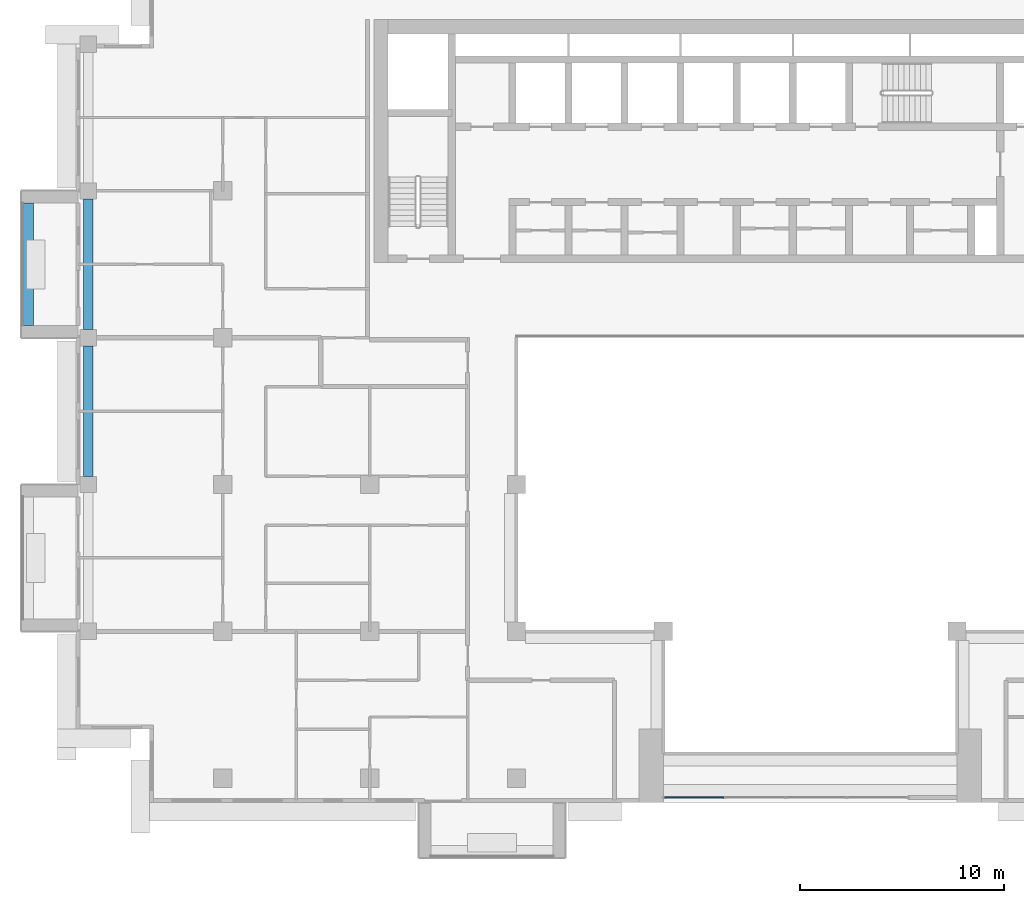
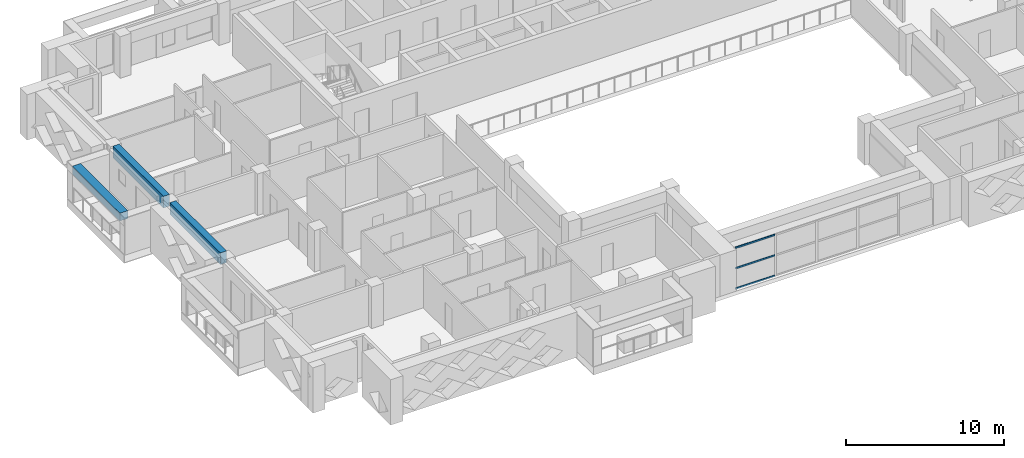
# One storey, part 3 of 20: 3 beams, 3 members, 1 element without a shape of its own.
"""IFC4 building model written with IfcOpenShell, lengths in metres."""

from ifc_helpers import new_model, si_unit, direction, frame, origin, origin_2d, place, context, subcontext, project, spatial, rectangle, extrude, source, transform, mapped, material, layer, layer_set, material_profile, profile_set, type_object, element, aggregate, save


model = new_model("IFC4")

# Units and contexts
model_context = context("Model", 3, precision=1e-05, world=origin(), true_north=direction((0.0, 1.0)))
body_context = subcontext(model_context, "Body", "Model", "MODEL_VIEW")
ifc_project = project(units=[si_unit("LENGTHUNIT", "METRE"), si_unit("AREAUNIT", "SQUARE_METRE"), si_unit("VOLUMEUNIT", "CUBIC_METRE"), si_unit("PLANEANGLEUNIT", "RADIAN"), si_unit("MASSUNIT", "GRAM", prefix="KILO")], contexts=[model_context])

# Site, building, storey
site_placement = place(None, origin())
site = spatial("IfcSite", under=ifc_project, at=site_placement, CompositionType="ELEMENT")
building_placement = place(site_placement, origin())
building = spatial("IfcBuilding", under=site, at=building_placement, Name="Saffron Iwan Residences", CompositionType="ELEMENT")
storey_placement = place(building_placement, frame((0.0, 0.0, 195.5)))
storey = spatial("IfcBuildingStorey", under=building, at=storey_placement, Name="L52", CompositionType="ELEMENT", Elevation=195.5)

# Beams
ifc_material_1 = material(Name="Concrete C50/60", Category="concrete")
ifc_material_profile_1 = material_profile(ifc_material_1, rectangle(XDim=0.449951171875, YDim=0.89990234375, at=origin_2d()), Name="RC 450x900")
ifc_profile_set_1 = profile_set([ifc_material_profile_1], Name="Concrete C50/60")
beam_type_1 = type_object("IfcBeamType", Name="SPANDREL BEAM RC 450x900 C50/60 TOP 3200", PredefinedType="SPANDREL", material=ifc_profile_set_1)
shared_shape_1 = source(origin(), body_context, "Body", "SweptSolid", [
    extrude(rectangle(XDim=0.449951171875, YDim=0.89990234375, at=origin_2d()), origin(), (0.0, 0.0, 1.0), 6.39990234375),
])
for number, where, z_axis, x_axis, name in (
    (1, (15.0, 55.60009765625, 2.75), (0.0, 1.0, 0.0), (-1.0, 0.0, 0.0), "Spandrel beam"),
    (2, (15.0, 62.800048828125, 2.75), (0.0, 1.0, 0.0), (-1.0, 0.0, 0.0), "Spandrel beam"),
):
    element("IfcBeam", number, at=place(storey_placement, frame(where, z_axis=z_axis, x_axis=x_axis)), inside=storey, type_object=beam_type_1, Name=name, PredefinedType="SPANDREL", context=body_context, shape_type="MappedRepresentation", body=[
        mapped(shared_shape_1, transform((0.0, 0.0, 0.0))),
    ])

# Curtain wall, members
ifc_material_2 = material(Name="Clear glass, laminated double glazed", Category="glass")
ifc_layer = layer(ifc_material_2, 0.199951171875)
ifc_layer_set = layer_set([ifc_layer], Name="Clear glass, laminated double glazed")
curtain_wall_type = type_object("IfcCurtainWallType", Name="CW-B IWAN PORTAL", PredefinedType="NOTDEFINED", material=ifc_layer_set)
curtain_wall_placement = place(storey_placement, origin())
curtain_wall = element("IfcCurtainWall", 3, at=curtain_wall_placement, inside=storey, type_object=curtain_wall_type, Name="Iwan portal glazing L52.1", PredefinedType="NOTDEFINED")
ifc_material_3 = material(Name="Aluminium 6063-T6", Category="aluminium")
ifc_material_profile_2 = material_profile(ifc_material_3, rectangle(XDim=0.06005859375, YDim=0.1201171875, at=origin_2d()), Name="CW-B TRANSOM 60 x 120")
ifc_profile_set_2 = profile_set([ifc_material_profile_2], Name="Aluminium 6063-T6")
member_type = type_object("IfcMemberType", Name="CW-B TRANSOM 60 x 120", PredefinedType="USERDEFINED", material=ifc_profile_set_2)
shared_shape_2 = source(origin(), body_context, "Body", "SweptSolid", [
    extrude(rectangle(XDim=0.06005859375, YDim=0.1201171875, at=origin_2d()), origin(), (0.0, 0.0, 1.0), 2.909912109375),
])
member_1_placement = place(storey_placement, frame((43.260009765625, 39.85009765625, 0.030029296875), z_axis=(1.0, 0.0, 0.0), x_axis=(0.0, 1.0, 0.0)))
member_1 = element("IfcMember", 4, at=member_1_placement, type_object=member_type, Name="CW-B transom 1.1", ObjectType="TRANSOM", PredefinedType="USERDEFINED", context=body_context, shape_type="MappedRepresentation", body=[
    mapped(shared_shape_2, transform((0.0, 0.0, 0.0))),
])
member_2_placement = place(storey_placement, frame((43.260009765625, 39.85009765625, 1.60009765625), z_axis=(1.0, 0.0, 0.0), x_axis=(0.0, 1.0, 0.0)))
member_2 = element("IfcMember", 5, at=member_2_placement, type_object=member_type, Name="CW-B transom 1.2", ObjectType="TRANSOM", PredefinedType="USERDEFINED", context=body_context, shape_type="MappedRepresentation", body=[
    mapped(shared_shape_2, transform((0.0, 0.0, 0.0))),
])
member_3_placement = place(storey_placement, frame((43.260009765625, 39.85009765625, 3.169921875), z_axis=(1.0, 0.0, 0.0), x_axis=(0.0, 1.0, 0.0)))
member_3 = element("IfcMember", 6, at=member_3_placement, type_object=member_type, Name="CW-B transom 1.3", ObjectType="TRANSOM", PredefinedType="USERDEFINED", context=body_context, shape_type="MappedRepresentation", body=[
    mapped(shared_shape_2, transform((0.0, 0.0, 0.0))),
])
aggregate(curtain_wall, [member_1, member_2, member_3])

# Beam
ifc_material_4 = material(Name="Concrete C50/60 white painted", Category="concrete")
ifc_material_profile_3 = material_profile(ifc_material_4, rectangle(XDim=0.60009765625, YDim=0.60009765625, at=origin_2d()), Name="BALCONY FASCIA BEAM 600 x 600")
ifc_profile_set_3 = profile_set([ifc_material_profile_3], Name="Concrete C50/60 white painted")
beam_type_2 = type_object("IfcBeamType", Name="BALCONY FASCIA BEAM 600 x 600", PredefinedType="BEAM", material=ifc_profile_set_3)
shared_shape_3 = source(origin(), body_context, "Body", "SweptSolid", [
    extrude(rectangle(XDim=0.60009765625, YDim=0.60009765625, at=origin_2d()), origin(), (0.0, 0.0, 1.0), 6.0),
])
beam_placement = place(storey_placement, frame((12.0, 69.0, 2.550048828125), z_axis=(0.0, -1.0, 0.0), x_axis=(1.0, 0.0, 0.0)))
element("IfcBeam", 7, at=beam_placement, inside=storey, type_object=beam_type_2, Name="Balcony fascia beam L52 F8-0", PredefinedType="BEAM", context=body_context, shape_type="MappedRepresentation", body=[
    mapped(shared_shape_3, transform((0.0, 0.0, 0.0))),
])

save(model, "model.ifc")
